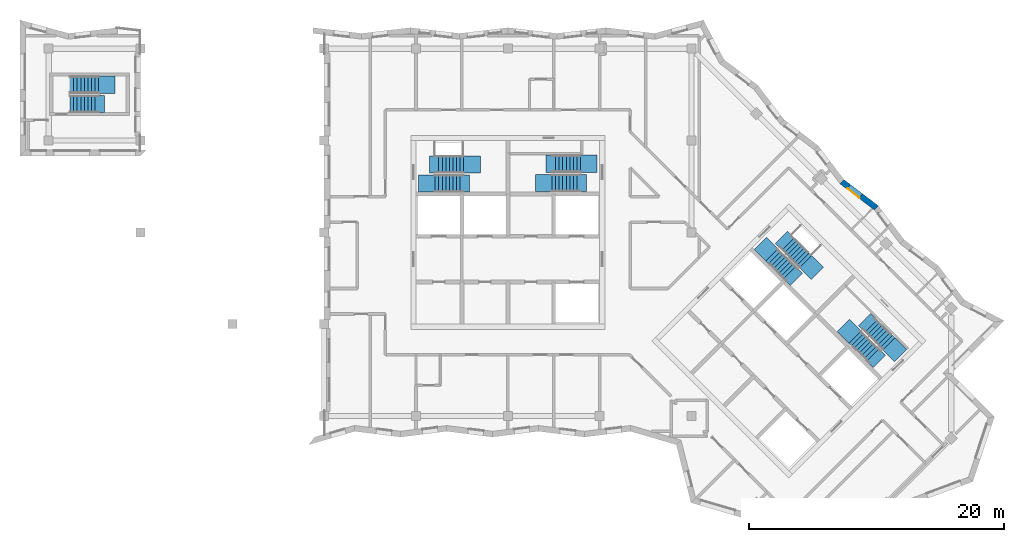
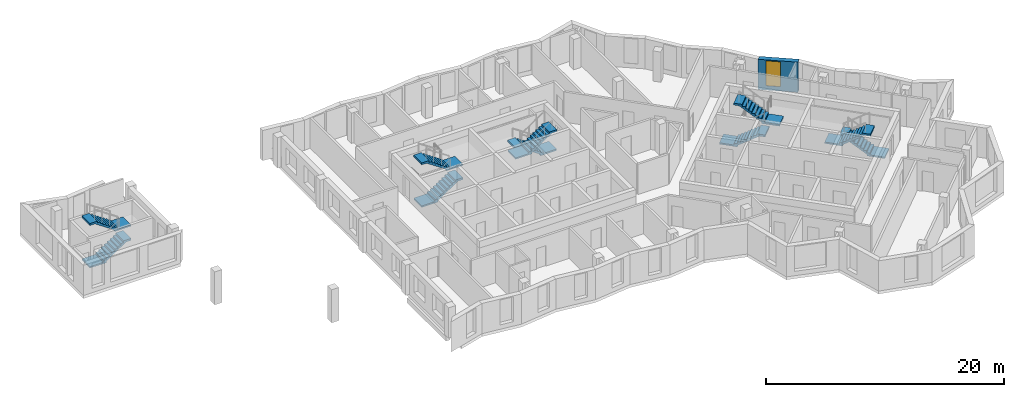
# One storey, part 8 of 12: 10 stair flights, 1 wall, 1 window, 1 opening, 5 elements without a shape of their own.
"""IFC4 building model written with IfcOpenShell, lengths in metres."""

from ifc_helpers import new_model, si_unit, direction, frame, frame_2d, origin, place, context, subcontext, project, spatial, polyline, rectangle, outline, extrude, material, layer, layer_set, type_object, element, fill, aggregate, save


model = new_model("IFC4")

# Units and contexts
model_context = context("Model", 3, precision=1e-05, world=origin(), true_north=direction((0.0, 1.0)))
body_context = subcontext(model_context, "Body", "Model", "MODEL_VIEW")
ifc_project = project(units=[si_unit("LENGTHUNIT", "METRE"), si_unit("AREAUNIT", "SQUARE_METRE"), si_unit("VOLUMEUNIT", "CUBIC_METRE"), si_unit("PLANEANGLEUNIT", "RADIAN"), si_unit("MASSUNIT", "GRAM", prefix="KILO")], contexts=[model_context])

# Site, building, storey
site_placement = place(None, origin())
site = spatial("IfcSite", under=ifc_project, at=site_placement, CompositionType="ELEMENT")
building_placement = place(site_placement, origin())
building = spatial("IfcBuilding", under=site, at=building_placement, Name="Windrow Commons", CompositionType="ELEMENT")
storey_placement = place(building_placement, frame((0.0, 0.0, 260.8)))
storey = spatial("IfcBuildingStorey", under=building, at=storey_placement, Name="L71", CompositionType="ELEMENT", Elevation=260.8)

# Wall, opening, window
ifc_material_1 = material(Name="Brick masonry, red clay brick", Category="masonry")
ifc_layer = layer(ifc_material_1, 0.45)
ifc_layer_set = layer_set([ifc_layer], Name="Brick facade wall 450")
wall_type = type_object("IfcWallType", Name="Brick facade wall 450", PredefinedType="SOLIDWALL", material=ifc_layer_set)
wall_placement = place(storey_placement, frame((93.6893, 59.5245, 0.0), z_axis=(0.0, 0.0, 1.0), x_axis=(-0.7955327164, 0.6059106346, 0.0)))
wall = element("IfcWall", 1, at=wall_placement, inside=storey, type_object=wall_type, Name="Brick facade wall L71 11", PredefinedType="SOLIDWALL", context=body_context, shape_type="SweptSolid", body=[
    extrude(outline(polyline([(-0.0304, -0.225), (3.3332, -0.225), (3.3941, 0.225), (0.0304, 0.225), (-0.0304, -0.225)])), origin(), (0.0, 0.0, 1.0), 3.1),
])
opening_placement = place(wall_placement, frame((1.5202, 0.0, 0.45)))
opening = element("IfcOpeningElement", 2, at=opening_placement, cuts=wall, Name="Opening W7F", PredefinedType="OPENING", context=body_context, shape_type="SweptSolid", body=[
    extrude(rectangle(XDim=1.2, YDim=2.55, at=frame_2d((0.6, 1.275))), frame((0.0, 0.235, 0.0), z_axis=(0.0, -1.0, 0.0), x_axis=(1.0, 0.0, 0.0)), (0.0, 0.0, 1.0), 0.47),
])
ifc_material_2 = material(Name="Clear float glass in anodised aluminium frame", Category="aluminium")
window_type = type_object("IfcWindowType", Name="Window W7 notch 1200x2550", PartitioningType="SINGLE_PANEL", PredefinedType="WINDOW", material=ifc_material_2)
window_placement = place(opening_placement, origin())
window = element("IfcWindow", 3, at=window_placement, inside=storey, type_object=window_type, Name="Window L71 11.1", OverallHeight=2.55, OverallWidth=1.2, PartitioningType="SINGLE_PANEL", PredefinedType="WINDOW", context=body_context, shape_type="SweptSolid", body=[
    extrude(rectangle(XDim=1.2, YDim=2.55, at=frame_2d((0.6, 1.275))), frame((0.0, 0.205, 0.0), z_axis=(0.0, -1.0, 0.0), x_axis=(1.0, 0.0, 0.0)), (0.0, 0.0, 1.0), 0.06),
])
fill(opening, window)

# Stair, stair flights
ifc_material_3 = material(Name="Concrete C40/50", Category="concrete")
stair_type = type_object("IfcStairType", Name="Core stair", PredefinedType="HALF_TURN_STAIR", material=ifc_material_3)
placement = place(storey_placement, origin())
stair_1 = element("IfcStair", 4, at=placement, inside=storey, type_object=stair_type, Name="L71 Exit stair A1 core A", PredefinedType="HALF_TURN_STAIR")
ifc_material_4 = material(Name="Concrete C40/50", Category="concrete")
stair_flight_type = type_object("IfcStairFlightType", Name="Core stair flight", PredefinedType="STRAIGHT", material=ifc_material_4)
stair_flight_1_placement = place(storey_placement, frame((59.1, 61.425, 0.0), z_axis=(0.0, 0.0, 1.0), x_axis=(1.0, 0.0, 0.0)))
stair_flight_1 = element("IfcStairFlight", 5, at=stair_flight_1_placement, type_object=stair_flight_type, Name="ST-A1 flight 1", NumberOfRisers=9, NumberOfTreads=8, PredefinedType="STRAIGHT", RiserHeight=0.188888889, TreadLength=0.28, context=body_context, shape_type="SweptSolid", body=[
    extrude(outline(polyline([(-1.3, -0.15), (-1.3, 0.0), (0.0, 0.0), (0.0, 0.1889), (0.28, 0.1889), (0.28, 0.3778), (0.56, 0.3778), (0.56, 0.5667), (0.84, 0.5667), (0.84, 0.7556), (1.12, 0.7556), (1.12, 0.9444), (1.4, 0.9444), (1.4, 1.1333), (1.68, 1.1333), (1.68, 1.3222), (1.96, 1.3222), (1.96, 1.5111), (2.24, 1.5111), (2.69, 1.5111), (2.69, 1.3111), (2.24, 1.3111), (2.24, 1.3302), (0.2682, 0.0), (0.2682, -0.15), (-1.3, -0.15)])), frame((0.0, 0.675, 0.0), z_axis=(0.0, -1.0, 0.0), x_axis=(1.0, 0.0, 0.0)), (0.0, 0.0, 1.0), 1.35),
])
stair_flight_2_placement = place(storey_placement, frame((61.34, 62.925, 1.7), z_axis=(0.0, 0.0, 1.0), x_axis=(-1.0, 0.0, 0.0)))
stair_flight_2 = element("IfcStairFlight", 6, at=stair_flight_2_placement, type_object=stair_flight_type, Name="ST-A1 flight 2", NumberOfRisers=9, NumberOfTreads=8, PredefinedType="STRAIGHT", RiserHeight=0.188888889, TreadLength=0.28, context=body_context, shape_type="SweptSolid", body=[
    extrude(outline(polyline([(-1.3, -0.15), (-1.3, 0.0), (0.0, 0.0), (0.0, 0.1889), (0.28, 0.1889), (0.28, 0.3778), (0.56, 0.3778), (0.56, 0.5667), (0.84, 0.5667), (0.84, 0.7556), (1.12, 0.7556), (1.12, 0.9444), (1.4, 0.9444), (1.4, 1.1333), (1.68, 1.1333), (1.68, 1.3222), (1.96, 1.3222), (1.96, 1.5111), (2.24, 1.5111), (2.69, 1.5111), (2.69, 1.3111), (2.24, 1.3111), (2.24, 1.3302), (0.2682, 0.0), (0.2682, -0.15), (-1.3, -0.15)])), frame((0.0, 0.675, 0.0), z_axis=(0.0, -1.0, 0.0), x_axis=(1.0, 0.0, 0.0)), (0.0, 0.0, 1.0), 1.35),
])
aggregate(stair_1, [stair_flight_1, stair_flight_2])

stair_2 = element("IfcStair", 7, at=placement, inside=storey, type_object=stair_type, Name="L71 Exit stair A2 core A", PredefinedType="HALF_TURN_STAIR")
stair_flight_3_placement = place(storey_placement, frame((70.5, 62.98, 0.0), z_axis=(0.0, 0.0, 1.0), x_axis=(-1.0, 0.0, 0.0)))
stair_flight_3 = element("IfcStairFlight", 8, at=stair_flight_3_placement, type_object=stair_flight_type, Name="ST-A2 flight 1", NumberOfRisers=9, NumberOfTreads=8, PredefinedType="STRAIGHT", RiserHeight=0.188888889, TreadLength=0.28, context=body_context, shape_type="SweptSolid", body=[
    extrude(outline(polyline([(-1.3, -0.15), (-1.3, 0.0), (0.0, 0.0), (0.0, 0.1889), (0.28, 0.1889), (0.28, 0.3778), (0.56, 0.3778), (0.56, 0.5667), (0.84, 0.5667), (0.84, 0.7556), (1.12, 0.7556), (1.12, 0.9444), (1.4, 0.9444), (1.4, 1.1333), (1.68, 1.1333), (1.68, 1.3222), (1.96, 1.3222), (1.96, 1.5111), (2.24, 1.5111), (2.69, 1.5111), (2.69, 1.3111), (2.24, 1.3111), (2.24, 1.3302), (0.2682, 0.0), (0.2682, -0.15), (-1.3, -0.15)])), frame((0.0, 0.675, 0.0), z_axis=(0.0, -1.0, 0.0), x_axis=(1.0, 0.0, 0.0)), (0.0, 0.0, 1.0), 1.35),
])
stair_flight_4_placement = place(storey_placement, frame((68.26, 61.48, 1.7), z_axis=(0.0, 0.0, 1.0), x_axis=(1.0, 0.0, 0.0)))
stair_flight_4 = element("IfcStairFlight", 9, at=stair_flight_4_placement, type_object=stair_flight_type, Name="ST-A2 flight 2", NumberOfRisers=9, NumberOfTreads=8, PredefinedType="STRAIGHT", RiserHeight=0.188888889, TreadLength=0.28, context=body_context, shape_type="SweptSolid", body=[
    extrude(outline(polyline([(-1.3, -0.15), (-1.3, 0.0), (0.0, 0.0), (0.0, 0.1889), (0.28, 0.1889), (0.28, 0.3778), (0.56, 0.3778), (0.56, 0.5667), (0.84, 0.5667), (0.84, 0.7556), (1.12, 0.7556), (1.12, 0.9444), (1.4, 0.9444), (1.4, 1.1333), (1.68, 1.1333), (1.68, 1.3222), (1.96, 1.3222), (1.96, 1.5111), (2.24, 1.5111), (2.69, 1.5111), (2.69, 1.3111), (2.24, 1.3111), (2.24, 1.3302), (0.2682, 0.0), (0.2682, -0.15), (-1.3, -0.15)])), frame((0.0, 0.675, 0.0), z_axis=(0.0, -1.0, 0.0), x_axis=(1.0, 0.0, 0.0)), (0.0, 0.0, 1.0), 1.35),
])
aggregate(stair_2, [stair_flight_3, stair_flight_4])

stair_3 = element("IfcStair", 10, at=placement, inside=storey, type_object=stair_type, Name="L71 Exit stair B1 core B", PredefinedType="HALF_TURN_STAIR")
stair_flight_5_placement = place(storey_placement, frame((85.5109, 55.8249, 0.0), z_axis=(0.0, 0.0, 1.0), x_axis=(0.7071067812, -0.7071067812, 0.0)))
stair_flight_5 = element("IfcStairFlight", 11, at=stair_flight_5_placement, type_object=stair_flight_type, Name="ST-B1 flight 1", NumberOfRisers=9, NumberOfTreads=8, PredefinedType="STRAIGHT", RiserHeight=0.188888889, TreadLength=0.28, context=body_context, shape_type="SweptSolid", body=[
    extrude(outline(polyline([(-1.3, -0.15), (-1.3, 0.0), (0.0, 0.0), (0.0, 0.1889), (0.28, 0.1889), (0.28, 0.3778), (0.56, 0.3778), (0.56, 0.5667), (0.84, 0.5667), (0.84, 0.7556), (1.12, 0.7556), (1.12, 0.9444), (1.4, 0.9444), (1.4, 1.1333), (1.68, 1.1333), (1.68, 1.3222), (1.96, 1.3222), (1.96, 1.5111), (2.24, 1.5111), (2.69, 1.5111), (2.69, 1.3111), (2.24, 1.3111), (2.24, 1.3302), (0.2682, 0.0), (0.2682, -0.15), (-1.3, -0.15)])), frame((0.0, 0.675, 0.0), z_axis=(0.0, -1.0, 0.0), x_axis=(1.0, 0.0, 0.0)), (0.0, 0.0, 1.0), 1.35),
])
stair_flight_6_placement = place(storey_placement, frame((88.1555, 55.3017, 1.7), z_axis=(0.0, 0.0, 1.0), x_axis=(-0.7071067812, 0.7071067812, 0.0)))
stair_flight_6 = element("IfcStairFlight", 12, at=stair_flight_6_placement, type_object=stair_flight_type, Name="ST-B1 flight 2", NumberOfRisers=9, NumberOfTreads=8, PredefinedType="STRAIGHT", RiserHeight=0.188888889, TreadLength=0.28, context=body_context, shape_type="SweptSolid", body=[
    extrude(outline(polyline([(-1.3, -0.15), (-1.3, 0.0), (0.0, 0.0), (0.0, 0.1889), (0.28, 0.1889), (0.28, 0.3778), (0.56, 0.3778), (0.56, 0.5667), (0.84, 0.5667), (0.84, 0.7556), (1.12, 0.7556), (1.12, 0.9444), (1.4, 0.9444), (1.4, 1.1333), (1.68, 1.1333), (1.68, 1.3222), (1.96, 1.3222), (1.96, 1.5111), (2.24, 1.5111), (2.69, 1.5111), (2.69, 1.3111), (2.24, 1.3111), (2.24, 1.3302), (0.2682, 0.0), (0.2682, -0.15), (-1.3, -0.15)])), frame((0.0, 0.675, 0.0), z_axis=(0.0, -1.0, 0.0), x_axis=(1.0, 0.0, 0.0)), (0.0, 0.0, 1.0), 1.35),
])
aggregate(stair_3, [stair_flight_5, stair_flight_6])

stair_4 = element("IfcStair", 13, at=placement, inside=storey, type_object=stair_type, Name="L71 Exit stair B2 core B", PredefinedType="HALF_TURN_STAIR")
stair_flight_7_placement = place(storey_placement, frame((94.6715, 48.8635, 0.0), z_axis=(0.0, 0.0, 1.0), x_axis=(-0.7071067812, 0.7071067812, 0.0)))
stair_flight_7 = element("IfcStairFlight", 14, at=stair_flight_7_placement, type_object=stair_flight_type, Name="ST-B2 flight 1", NumberOfRisers=9, NumberOfTreads=8, PredefinedType="STRAIGHT", RiserHeight=0.188888889, TreadLength=0.28, context=body_context, shape_type="SweptSolid", body=[
    extrude(outline(polyline([(-1.3, -0.15), (-1.3, 0.0), (0.0, 0.0), (0.0, 0.1889), (0.28, 0.1889), (0.28, 0.3778), (0.56, 0.3778), (0.56, 0.5667), (0.84, 0.5667), (0.84, 0.7556), (1.12, 0.7556), (1.12, 0.9444), (1.4, 0.9444), (1.4, 1.1333), (1.68, 1.1333), (1.68, 1.3222), (1.96, 1.3222), (1.96, 1.5111), (2.24, 1.5111), (2.69, 1.5111), (2.69, 1.3111), (2.24, 1.3111), (2.24, 1.3302), (0.2682, 0.0), (0.2682, -0.15), (-1.3, -0.15)])), frame((0.0, 0.675, 0.0), z_axis=(0.0, -1.0, 0.0), x_axis=(1.0, 0.0, 0.0)), (0.0, 0.0, 1.0), 1.35),
])
stair_flight_8_placement = place(storey_placement, frame((92.0269, 49.3867, 1.7), z_axis=(0.0, 0.0, 1.0), x_axis=(0.7071067812, -0.7071067812, 0.0)))
stair_flight_8 = element("IfcStairFlight", 15, at=stair_flight_8_placement, type_object=stair_flight_type, Name="ST-B2 flight 2", NumberOfRisers=9, NumberOfTreads=8, PredefinedType="STRAIGHT", RiserHeight=0.188888889, TreadLength=0.28, context=body_context, shape_type="SweptSolid", body=[
    extrude(outline(polyline([(-1.3, -0.15), (-1.3, 0.0), (0.0, 0.0), (0.0, 0.1889), (0.28, 0.1889), (0.28, 0.3778), (0.56, 0.3778), (0.56, 0.5667), (0.84, 0.5667), (0.84, 0.7556), (1.12, 0.7556), (1.12, 0.9444), (1.4, 0.9444), (1.4, 1.1333), (1.68, 1.1333), (1.68, 1.3222), (1.96, 1.3222), (1.96, 1.5111), (2.24, 1.5111), (2.69, 1.5111), (2.69, 1.3111), (2.24, 1.3111), (2.24, 1.3302), (0.2682, 0.0), (0.2682, -0.15), (-1.3, -0.15)])), frame((0.0, 0.675, 0.0), z_axis=(0.0, -1.0, 0.0), x_axis=(1.0, 0.0, 0.0)), (0.0, 0.0, 1.0), 1.35),
])
aggregate(stair_4, [stair_flight_7, stair_flight_8])

stair_5 = element("IfcStair", 16, at=placement, inside=storey, type_object=stair_type, Name="L71 Exit stair W", PredefinedType="HALF_TURN_STAIR")
stair_flight_9_placement = place(storey_placement, frame((30.475, 67.675, 0.0), z_axis=(0.0, 0.0, 1.0), x_axis=(1.0, 0.0, 0.0)))
stair_flight_9 = element("IfcStairFlight", 17, at=stair_flight_9_placement, type_object=stair_flight_type, Name="ST-W flight 1", NumberOfRisers=9, NumberOfTreads=8, PredefinedType="STRAIGHT", RiserHeight=0.188888889, TreadLength=0.28, context=body_context, shape_type="SweptSolid", body=[
    extrude(outline(polyline([(-1.3, -0.15), (-1.3, 0.0), (0.0, 0.0), (0.0, 0.1889), (0.28, 0.1889), (0.28, 0.3778), (0.56, 0.3778), (0.56, 0.5667), (0.84, 0.5667), (0.84, 0.7556), (1.12, 0.7556), (1.12, 0.9444), (1.4, 0.9444), (1.4, 1.1333), (1.68, 1.1333), (1.68, 1.3222), (1.96, 1.3222), (1.96, 1.5111), (2.24, 1.5111), (2.69, 1.5111), (2.69, 1.3111), (2.24, 1.3111), (2.24, 1.3302), (0.2682, 0.0), (0.2682, -0.15), (-1.3, -0.15)])), frame((0.0, 0.675, 0.0), z_axis=(0.0, -1.0, 0.0), x_axis=(1.0, 0.0, 0.0)), (0.0, 0.0, 1.0), 1.35),
])
stair_flight_10_placement = place(storey_placement, frame((32.715, 69.175, 1.7), z_axis=(0.0, 0.0, 1.0), x_axis=(-1.0, 0.0, 0.0)))
stair_flight_10 = element("IfcStairFlight", 18, at=stair_flight_10_placement, type_object=stair_flight_type, Name="ST-W flight 2", NumberOfRisers=9, NumberOfTreads=8, PredefinedType="STRAIGHT", RiserHeight=0.188888889, TreadLength=0.28, context=body_context, shape_type="SweptSolid", body=[
    extrude(outline(polyline([(-1.3, -0.15), (-1.3, 0.0), (0.0, 0.0), (0.0, 0.1889), (0.28, 0.1889), (0.28, 0.3778), (0.56, 0.3778), (0.56, 0.5667), (0.84, 0.5667), (0.84, 0.7556), (1.12, 0.7556), (1.12, 0.9444), (1.4, 0.9444), (1.4, 1.1333), (1.68, 1.1333), (1.68, 1.3222), (1.96, 1.3222), (1.96, 1.5111), (2.24, 1.5111), (2.69, 1.5111), (2.69, 1.3111), (2.24, 1.3111), (2.24, 1.3302), (0.2682, 0.0), (0.2682, -0.15), (-1.3, -0.15)])), frame((0.0, 0.675, 0.0), z_axis=(0.0, -1.0, 0.0), x_axis=(1.0, 0.0, 0.0)), (0.0, 0.0, 1.0), 1.35),
])
aggregate(stair_5, [stair_flight_9, stair_flight_10])

save(model, "model.ifc")
